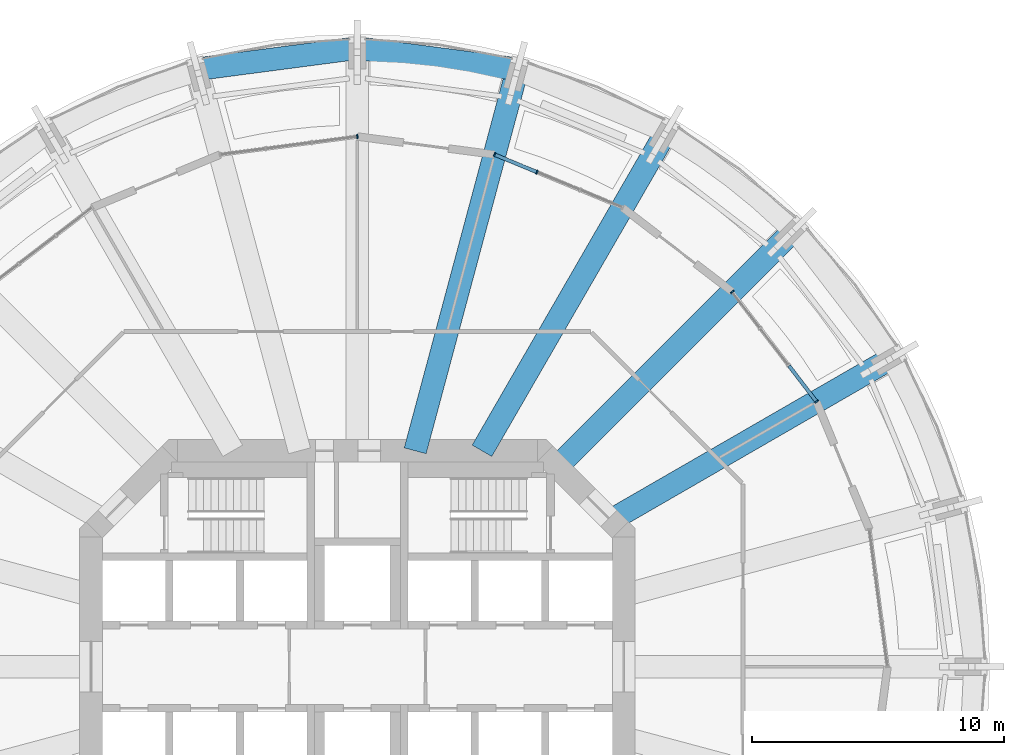
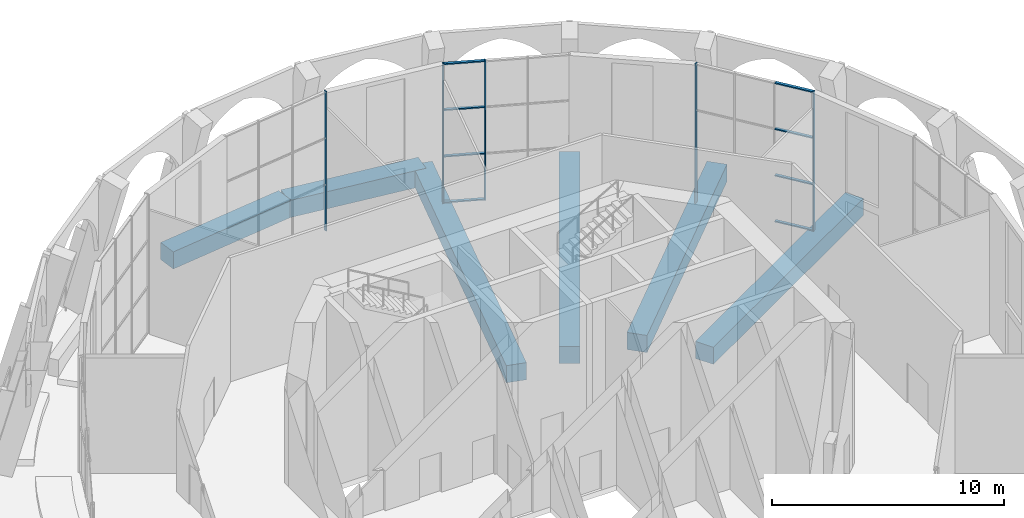
# One storey, part 7 of 18: 13 members, 6 beams, 3 elements without a shape of their own.
"""IFC4 building model written with IfcOpenShell, lengths in metres."""

from ifc_helpers import new_model, si_unit, direction, frame, origin, origin_2d, place, context, subcontext, project, spatial, rectangle, extrude, material, material_profile, profile_set, type_object, element, aggregate, save


model = new_model("IFC4")

# Units and contexts
model_context = context("Model", 3, precision=1e-05, world=origin(), true_north=direction((0.0, 1.0)))
body_context = subcontext(model_context, "Body", "Model", "MODEL_VIEW")
ifc_project = project(units=[si_unit("LENGTHUNIT", "METRE"), si_unit("AREAUNIT", "SQUARE_METRE"), si_unit("VOLUMEUNIT", "CUBIC_METRE"), si_unit("PLANEANGLEUNIT", "RADIAN"), si_unit("MASSUNIT", "GRAM", prefix="KILO")], contexts=[model_context])

# Site, building, storey
site_placement = place(None, origin())
site = spatial("IfcSite", under=ifc_project, at=site_placement, CompositionType="ELEMENT")
building_placement = place(site_placement, origin())
building = spatial("IfcBuilding", under=site, at=building_placement, Name="Torre Triforio", CompositionType="ELEMENT")
storey_placement = place(building_placement, frame((0.0, 0.0, 146.60009765625)))
storey = spatial("IfcBuildingStorey", under=building, at=storey_placement, Name="L33", CompositionType="ELEMENT", Elevation=146.60009765625)

# Curtain wall, members
ifc_material_1 = material(Name="Aluminium mullion and transom frame with clear laminated glass", Category="aluminium")
curtain_wall_type = type_object("IfcCurtainWallType", Name="Sky garden conservatory wall ECW3", PredefinedType="NOTDEFINED", material=ifc_material_1)
curtain_wall_1_placement = place(storey_placement, origin())
curtain_wall_1 = element("IfcCurtainWall", 1, at=curtain_wall_1_placement, inside=storey, type_object=curtain_wall_type, Name="Conservatory wall L33 bay 03", PredefinedType="NOTDEFINED")
ifc_material_2 = material(Name="Anodised aluminium extrusion", Category="aluminium")
ifc_material_profile_1 = material_profile(ifc_material_2, rectangle(XDim=0.159912109375, YDim=0.06005859375, at=origin_2d()), Name="ECW3 MULLION 60x160")
ifc_profile_set_1 = profile_set([ifc_material_profile_1], Name="Anodised aluminium extrusion")
member_type_1 = type_object("IfcMemberType", Name="ECW3 mullion 60 x 160", PredefinedType="MULLION", material=ifc_profile_set_1)
member_1_placement = place(storey_placement, frame((18.1865234375, 10.5, 0.0), z_axis=(0.0, 0.0, 1.0), x_axis=(-0.793351885029, -0.608763325538, 0.0)))
member_1 = element("IfcMember", 2, at=member_1_placement, type_object=member_type_1, Name="ECW3 mullion 1", PredefinedType="MULLION", context=body_context, shape_type="SweptSolid", body=[
    extrude(rectangle(XDim=0.159912109375, YDim=0.06005859375, at=origin_2d()), origin(), (0.0, 0.0, 1.0), 7.31982421875),
])
member_2_placement = place(storey_placement, frame((14.849365234375, 14.84912109375, 0.0), z_axis=(0.0, 0.0, 1.0), x_axis=(-0.793351885029, -0.608763325538, 0.0)))
member_2 = element("IfcMember", 3, at=member_2_placement, type_object=member_type_1, Name="ECW3 mullion 4", PredefinedType="MULLION", context=body_context, shape_type="SweptSolid", body=[
    extrude(rectangle(XDim=0.159912109375, YDim=0.06005859375, at=origin_2d()), origin(), (0.0, 0.0, 1.0), 7.31982421875),
])

curtain_wall_2_placement = place(storey_placement, origin())
curtain_wall_2 = element("IfcCurtainWall", 4, at=curtain_wall_2_placement, inside=storey, type_object=curtain_wall_type, Name="Conservatory wall L33 bay 05", PredefinedType="NOTDEFINED")
member_3_placement = place(storey_placement, frame((7.1142578125, 19.5888671875, 0.0), z_axis=(0.0, 0.0, 1.0), x_axis=(-0.382674764107, -0.923883122974, 0.0)))
member_3 = element("IfcMember", 5, at=member_3_placement, type_object=member_type_1, Name="ECW3 mullion 3", PredefinedType="MULLION", context=body_context, shape_type="SweptSolid", body=[
    extrude(rectangle(XDim=0.159912109375, YDim=0.06005859375, at=origin_2d()), origin(), (0.0, 0.0, 1.0), 7.31982421875),
])
member_4_placement = place(storey_placement, frame((5.435302734375, 20.284423828125, 0.0), z_axis=(0.0, 0.0, 1.0), x_axis=(-0.382674764107, -0.923883122974, 0.0)))
member_4 = element("IfcMember", 6, at=member_4_placement, type_object=member_type_1, Name="ECW3 mullion 4", PredefinedType="MULLION", context=body_context, shape_type="SweptSolid", body=[
    extrude(rectangle(XDim=0.159912109375, YDim=0.06005859375, at=origin_2d()), origin(), (0.0, 0.0, 1.0), 7.31982421875),
])

# Curtain wall, member
curtain_wall_3_placement = place(storey_placement, origin())
curtain_wall_3 = element("IfcCurtainWall", 7, at=curtain_wall_3_placement, inside=storey, type_object=curtain_wall_type, Name="Conservatory wall L33 bay 07", PredefinedType="NOTDEFINED")
member_5_placement = place(storey_placement, frame((0.0, 21.0, 0.0), z_axis=(0.0, 0.0, 1.0), x_axis=(0.130530127386, -0.991444343291, 0.0)))
member_5 = element("IfcMember", 8, at=member_5_placement, type_object=member_type_1, Name="ECW3 mullion 1", PredefinedType="MULLION", context=body_context, shape_type="SweptSolid", body=[
    extrude(rectangle(XDim=0.159912109375, YDim=0.06005859375, at=origin_2d()), origin(), (0.0, 0.0, 1.0), 7.31982421875),
])
aggregate(curtain_wall_3, [member_5])

# Member
ifc_material_profile_2 = material_profile(ifc_material_2, rectangle(XDim=0.139892578125, YDim=0.06005859375, at=origin_2d()), Name="ECW3 TRANSOM 60x140")
ifc_profile_set_2 = profile_set([ifc_material_profile_2], Name="Anodised aluminium extrusion")
member_type_2 = type_object("IfcMemberType", Name="ECW3 transom 60 x 140", PredefinedType="USERDEFINED", material=ifc_profile_set_2)
member_6_placement = place(storey_placement, frame((18.168212890625, 10.523681640625, 0.02978515625), z_axis=(-0.60874355425, 0.793367055756, 0.0), x_axis=(-0.793367055756, -0.60874355425, 0.0)))
member_6 = element("IfcMember", 9, at=member_6_placement, type_object=member_type_2, Name="ECW3 transom 1.1", ObjectType="TRANSOM", PredefinedType="USERDEFINED", context=body_context, shape_type="SweptSolid", body=[
    extrude(rectangle(XDim=0.139892578125, YDim=0.06005859375, at=origin_2d()), origin(), (0.0, 0.0, 1.0), 1.75732421875),
])

member_7_placement = place(storey_placement, frame((18.168212890625, 10.523681640625, 2.43994140625), z_axis=(-0.60874355425, 0.793367055756, 0.0), x_axis=(-0.793367055756, -0.60874355425, 0.0)))
member_7 = element("IfcMember", 10, at=member_7_placement, type_object=member_type_2, Name="ECW3 transom 1.2", ObjectType="TRANSOM", PredefinedType="USERDEFINED", context=body_context, shape_type="SweptSolid", body=[
    extrude(rectangle(XDim=0.139892578125, YDim=0.06005859375, at=origin_2d()), origin(), (0.0, 0.0, 1.0), 1.75732421875),
])

member_8_placement = place(storey_placement, frame((18.168212890625, 10.523681640625, 4.8798828125), z_axis=(-0.60874355425, 0.793367055756, 0.0), x_axis=(-0.793367055756, -0.60874355425, 0.0)))
member_8 = element("IfcMember", 11, at=member_8_placement, type_object=member_type_2, Name="ECW3 transom 1.3", ObjectType="TRANSOM", PredefinedType="USERDEFINED", context=body_context, shape_type="SweptSolid", body=[
    extrude(rectangle(XDim=0.139892578125, YDim=0.06005859375, at=origin_2d()), origin(), (0.0, 0.0, 1.0), 1.75732421875),
])

member_9_placement = place(storey_placement, frame((18.168212890625, 10.523681640625, 7.289794921875), z_axis=(-0.60874355425, 0.793367055756, 0.0), x_axis=(-0.793367055756, -0.60874355425, 0.0)))
member_9 = element("IfcMember", 12, at=member_9_placement, type_object=member_type_2, Name="ECW3 transom 1.4", ObjectType="TRANSOM", PredefinedType="USERDEFINED", context=body_context, shape_type="SweptSolid", body=[
    extrude(rectangle(XDim=0.139892578125, YDim=0.06005859375, at=origin_2d()), origin(), (0.0, 0.0, 1.0), 1.75732421875),
])

aggregate(curtain_wall_1, [member_1, member_2, member_6, member_7, member_8, member_9])

member_10_placement = place(storey_placement, frame((7.08642578125, 19.600341796875, 0.02978515625), z_axis=(-0.923855963606, 0.38274032778, 0.0), x_axis=(-0.38274032778, -0.923855963606, 0.0)))
member_10 = element("IfcMember", 13, at=member_10_placement, type_object=member_type_2, Name="ECW3 transom 3.1", ObjectType="TRANSOM", PredefinedType="USERDEFINED", context=body_context, shape_type="SweptSolid", body=[
    extrude(rectangle(XDim=0.139892578125, YDim=0.06005859375, at=origin_2d()), origin(), (0.0, 0.0, 1.0), 1.75732421875),
])

member_11_placement = place(storey_placement, frame((7.08642578125, 19.600341796875, 2.43994140625), z_axis=(-0.923855963606, 0.38274032778, 0.0), x_axis=(-0.38274032778, -0.923855963606, 0.0)))
member_11 = element("IfcMember", 14, at=member_11_placement, type_object=member_type_2, Name="ECW3 transom 3.2", ObjectType="TRANSOM", PredefinedType="USERDEFINED", context=body_context, shape_type="SweptSolid", body=[
    extrude(rectangle(XDim=0.139892578125, YDim=0.06005859375, at=origin_2d()), origin(), (0.0, 0.0, 1.0), 1.75732421875),
])

member_12_placement = place(storey_placement, frame((7.08642578125, 19.600341796875, 4.8798828125), z_axis=(-0.923855963606, 0.38274032778, 0.0), x_axis=(-0.38274032778, -0.923855963606, 0.0)))
member_12 = element("IfcMember", 15, at=member_12_placement, type_object=member_type_2, Name="ECW3 transom 3.3", ObjectType="TRANSOM", PredefinedType="USERDEFINED", context=body_context, shape_type="SweptSolid", body=[
    extrude(rectangle(XDim=0.139892578125, YDim=0.06005859375, at=origin_2d()), origin(), (0.0, 0.0, 1.0), 1.75732421875),
])

member_13_placement = place(storey_placement, frame((7.08642578125, 19.600341796875, 7.289794921875), z_axis=(-0.923855963606, 0.38274032778, 0.0), x_axis=(-0.38274032778, -0.923855963606, 0.0)))
member_13 = element("IfcMember", 16, at=member_13_placement, type_object=member_type_2, Name="ECW3 transom 3.4", ObjectType="TRANSOM", PredefinedType="USERDEFINED", context=body_context, shape_type="SweptSolid", body=[
    extrude(rectangle(XDim=0.139892578125, YDim=0.06005859375, at=origin_2d()), origin(), (0.0, 0.0, 1.0), 1.75732421875),
])

aggregate(curtain_wall_2, [member_3, member_4, member_10, member_11, member_12, member_13])

# Beams
ifc_material_3 = material(Name="Concrete C50", Category="concrete")
ifc_material_profile_3 = material_profile(ifc_material_3, rectangle(XDim=0.89990234375, YDim=0.89990234375, at=origin_2d()), Name="RC 900x900")
ifc_profile_set_3 = profile_set([ifc_material_profile_3], Name="Concrete C50")
beam_type_1 = type_object("IfcBeamType", Name="Radial beam RC 900x900 C50", PredefinedType="BEAM", material=ifc_profile_set_3)
beam_1_placement = place(storey_placement, frame((10.039794921875, 5.796630859375, -0.72998046875), z_axis=(0.866028718729, 0.499994258303, 0.0), x_axis=(-0.499994258303, 0.866028718729, 0.0)))
element("IfcBeam", 17, at=beam_1_placement, inside=storey, type_object=beam_type_1, Name="BM.R.L33.02", PredefinedType="BEAM", context=body_context, shape_type="SweptSolid", body=[
    extrude(rectangle(XDim=0.89990234375, YDim=0.89990234375, at=origin_2d()), origin(), (0.0, 0.0, 1.0), 12.906982421875),
])
beam_2_placement = place(storey_placement, frame((7.918212890625, 7.918212890625, -0.72998046875), z_axis=(0.707106781187, 0.707106781187, 0.0), x_axis=(-0.707106781187, 0.707106781187, 0.0)))
element("IfcBeam", 18, at=beam_2_placement, inside=storey, type_object=beam_type_1, Name="BM.R.L33.03", PredefinedType="BEAM", context=body_context, shape_type="SweptSolid", body=[
    extrude(rectangle(XDim=0.89990234375, YDim=0.89990234375, at=origin_2d()), origin(), (0.0, 0.0, 1.0), 13.302001953125),
])
beam_3_placement = place(storey_placement, frame((4.936279296875, 8.550048828125, -0.72998046875), z_axis=(0.500007560092, 0.86602103892, 0.0), x_axis=(-0.86602103892, 0.500007560092, 0.0)))
element("IfcBeam", 19, at=beam_3_placement, inside=storey, type_object=beam_type_1, Name="BM.R.L33.04", PredefinedType="BEAM", context=body_context, shape_type="SweptSolid", body=[
    extrude(rectangle(XDim=0.89990234375, YDim=0.89990234375, at=origin_2d()), origin(), (0.0, 0.0, 1.0), 14.627197265625),
])
beam_4_placement = place(storey_placement, frame((2.291015625, 8.550048828125, -0.72998046875), z_axis=(0.258815108997, 0.965926880957, 0.0), x_axis=(-0.965926880957, 0.258815108997, 0.0)))
element("IfcBeam", 20, at=beam_4_placement, inside=storey, type_object=beam_type_1, Name="BM.R.L33.05", PredefinedType="BEAM", context=body_context, shape_type="SweptSolid", body=[
    extrude(rectangle(XDim=0.89990234375, YDim=0.89990234375, at=origin_2d()), origin(), (0.0, 0.0, 1.0), 15.6484375),
])
ifc_material_profile_4 = material_profile(ifc_material_3, rectangle(XDim=0.89990234375, YDim=0.89990234375, at=origin_2d()), Name="RC 900x900")
ifc_profile_set_4 = profile_set([ifc_material_profile_4], Name="Concrete C50")
beam_type_2 = type_object("IfcBeamType", Name="Spandrel beam RC 900x900 C50", PredefinedType="SPANDREL", material=ifc_profile_set_4)
for number, where, z_axis, x_axis, name in (
    (21, (6.341064453125, 23.665283203125, -0.72998046875), (-0.991446888172, 0.130510796237, 0.0), (-0.130510796237, -0.991446888172, 0.0), "BM.S.L33.05"),
    (22, (0.0, 24.5, -0.72998046875), (-0.991446888172, -0.130510796237, 0.0), (0.130510796237, -0.991446888172, 0.0), "BM.S.L33.06"),
):
    element("IfcBeam", number, at=place(storey_placement, frame(where, z_axis=z_axis, x_axis=x_axis)), inside=storey, type_object=beam_type_2, Name=name, PredefinedType="SPANDREL", context=body_context, shape_type="SweptSolid", body=[
        extrude(rectangle(XDim=0.89990234375, YDim=0.89990234375, at=origin_2d()), origin(), (0.0, 0.0, 1.0), 6.395751953125),
    ])

save(model, "model.ifc")
